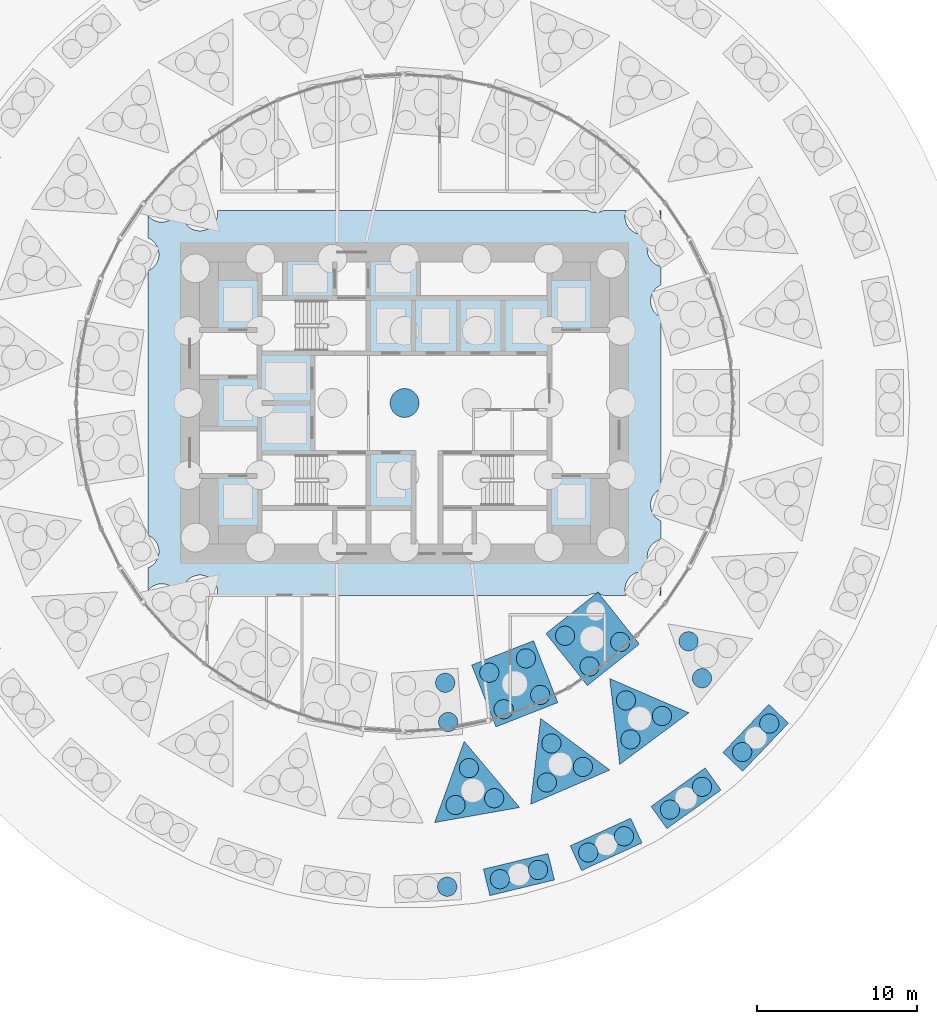
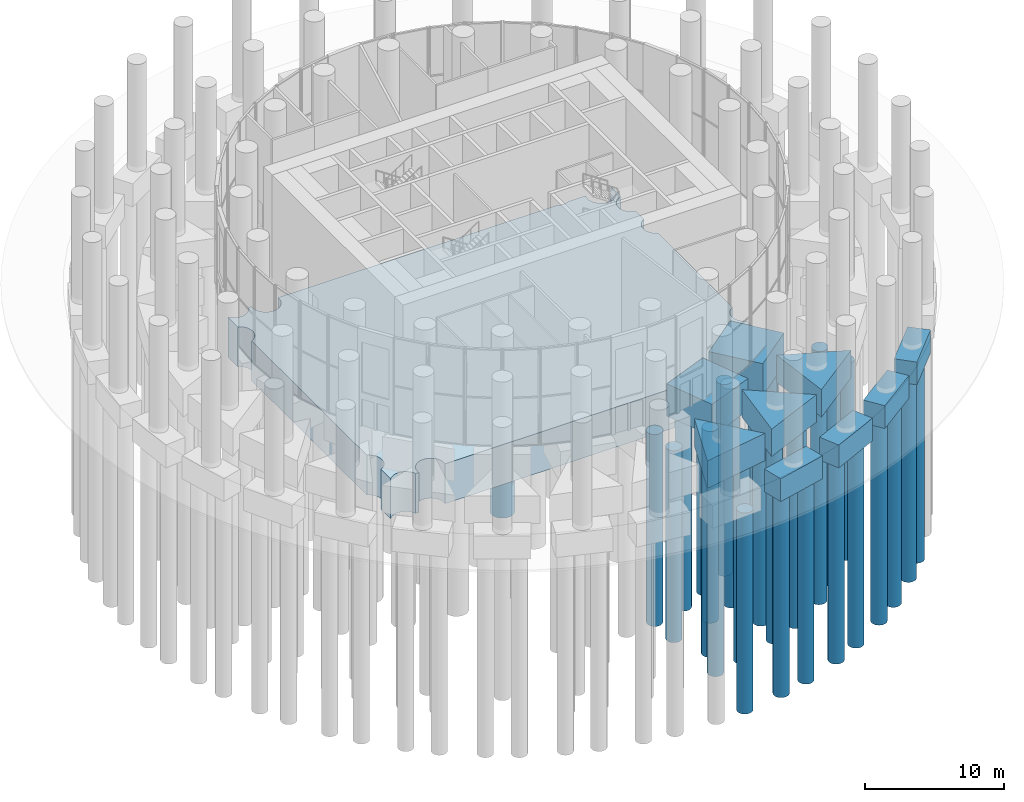
# One storey, part 2 of 20: 30 piles, 10 footings.
"""IFC4 building model written with IfcOpenShell, lengths in metres."""

from ifc_helpers import new_model, si_unit, direction, frame, origin, origin_2d, place, context, subcontext, project, spatial, polyline, circle, outline, extrude, material, material_profile, profile_set, type_object, element, save


model = new_model("IFC4")

# Units and contexts
model_context = context("Model", 3, precision=1e-05, world=origin(), true_north=direction((0.0, 1.0)))
body_context = subcontext(model_context, "Body", "Model", "MODEL_VIEW")
ifc_project = project(units=[si_unit("LENGTHUNIT", "METRE"), si_unit("AREAUNIT", "SQUARE_METRE"), si_unit("VOLUMEUNIT", "CUBIC_METRE"), si_unit("PLANEANGLEUNIT", "RADIAN"), si_unit("MASSUNIT", "GRAM", prefix="KILO")], contexts=[model_context])

# Site, building, storey
site_placement = place(None, origin())
site = spatial("IfcSite", under=ifc_project, at=site_placement, CompositionType="ELEMENT")
building_placement = place(site_placement, origin())
building = spatial("IfcBuilding", under=site, at=building_placement, Name="Tracery Tower", CompositionType="ELEMENT")
storey_placement = place(building_placement, origin())
storey = spatial("IfcBuildingStorey", under=building, at=storey_placement, Name="L00", CompositionType="ELEMENT", Elevation=0.0)

# Pile
ifc_material_1 = material(Name="Concrete C50/60", Category="concrete")
ifc_material_profile_1 = material_profile(ifc_material_1, circle(Radius=0.89990234375, at=origin_2d()), Name="RC D1800")
ifc_profile_set_1 = profile_set([ifc_material_profile_1], Name="Concrete C50/60")
pile_type_1 = type_object("IfcPileType", Name="Core bored pile D1800", PredefinedType="BORED", material=ifc_profile_set_1)
pile_placement = place(storey_placement, frame((0.0, 0.0, -8.0), z_axis=(0.0, 0.0, -1.0), x_axis=(1.0, 0.0, 0.0)))
element("IfcPile", 1, at=pile_placement, inside=storey, type_object=pile_type_1, Name="Core bored pile 18", PredefinedType="BORED", context=body_context, shape_type="SweptSolid", body=[
    extrude(circle(Radius=0.89990234375, at=origin_2d()), origin(), (0.0, 0.0, 1.0), 12.0),
])

# Footing
ifc_material_2 = material(Name="Concrete C60/75", Category="concrete")
footing_type_1 = type_object("IfcFootingType", Name="Core pile cap", PredefinedType="PILE_CAP", material=ifc_material_2)
footing_1_placement = place(storey_placement, frame((0.0, 0.0, -8.0)))
element("IfcFooting", 2, at=footing_1_placement, inside=storey, type_object=footing_type_1, Name="Core pile cap", PredefinedType="PILE_CAP", context=body_context, shape_type="SweptSolid", body=[
    extrude(outline(polyline([(-13.8486328125, -12.0), (-13.851318359375, -11.98388671875), (-13.8583984375, -11.912109375), (-13.860595703125, -11.840087890625), (-13.8583984375, -11.768310546875), (-13.851318359375, -11.69677734375), (-13.839599609375, -11.62548828125), (-13.8232421875, -11.555419921875), (-13.802490234375, -11.48681640625), (-13.777099609375, -11.419189453125), (-13.747314453125, -11.353759765625), (-13.71337890625, -11.290283203125), (-13.67529296875, -11.22900390625), (-13.63330078125, -11.170654296875), (-13.587890625, -11.114990234375), (-13.53857421875, -11.0625), (-13.486083984375, -11.01318359375), (-13.430419921875, -10.967529296875), (-13.371826171875, -10.925537109375), (-13.310791015625, -10.8876953125), (-13.247314453125, -10.853759765625), (-13.181640625, -10.823974609375), (-13.1142578125, -10.798583984375), (-13.04541015625, -10.777587890625), (-12.975341796875, -10.761474609375), (-12.904296875, -10.74951171875), (-12.832763671875, -10.74267578125), (-12.7607421875, -10.740234375), (-12.688720703125, -10.74267578125), (-12.6171875, -10.74951171875), (-12.546142578125, -10.761474609375), (-12.47607421875, -10.777587890625), (-12.4072265625, -10.798583984375), (-12.33984375, -10.823974609375), (-12.274169921875, -10.853759765625), (-12.210693359375, -10.8876953125), (-12.149658203125, -10.925537109375), (-12.091064453125, -10.967529296875), (-12.035400390625, -11.01318359375), (-11.98291015625, -11.0625), (-11.93359375, -11.114990234375), (-11.88818359375, -11.170654296875), (-11.84619140625, -11.22900390625), (-11.80810546875, -11.290283203125), (-11.774169921875, -11.353759765625), (-11.744384765625, -11.419189453125), (-11.718994140625, -11.48681640625), (-11.6982421875, -11.555419921875), (-11.681884765625, -11.62548828125), (-11.670166015625, -11.69677734375), (-11.6630859375, -11.768310546875), (-11.66064453125, -11.840087890625), (-11.6630859375, -11.912109375), (-11.670166015625, -11.98388671875), (-11.6728515625, -12.0), (11.4599609375, -12.0), (11.508544921875, -11.97802734375), (11.57568359375, -11.95263671875), (11.644775390625, -11.931884765625), (11.71484375, -11.915283203125), (11.785888671875, -11.90380859375), (11.857421875, -11.896484375), (11.929443359375, -11.894287109375), (12.00146484375, -11.896484375), (12.072998046875, -11.90380859375), (12.14404296875, -11.915283203125), (12.214111328125, -11.931884765625), (12.282958984375, -11.95263671875), (12.350341796875, -11.97802734375), (12.39892578125, -12.0), (13.831787109375, -12.0), (13.81982421875, -11.968505859375), (13.799072265625, -11.89990234375), (13.78271484375, -11.82958984375), (13.77099609375, -11.758544921875), (13.763916015625, -11.68701171875), (13.76171875, -11.614990234375), (13.763916015625, -11.543212890625), (13.77099609375, -11.471435546875), (13.78271484375, -11.400390625), (13.799072265625, -11.330322265625), (13.81982421875, -11.261474609375), (13.84521484375, -11.194091796875), (13.875, -11.12841796875), (13.908935546875, -11.065185546875), (13.947021484375, -11.00390625), (13.989013671875, -10.9453125), (14.034423828125, -10.889892578125), (14.083740234375, -10.837158203125), (14.13623046875, -10.7880859375), (14.19189453125, -10.742431640625), (14.25048828125, -10.700439453125), (14.3115234375, -10.662353515625), (14.375, -10.62841796875), (14.440673828125, -10.598876953125), (14.508056640625, -10.573486328125), (14.576904296875, -10.552490234375), (14.64697265625, -10.5361328125), (14.718017578125, -10.5244140625), (14.78955078125, -10.517333984375), (14.861572265625, -10.51513671875), (14.93359375, -10.517333984375), (15.005126953125, -10.5244140625), (15.076171875, -10.5361328125), (15.146240234375, -10.552490234375), (15.215087890625, -10.573486328125), (15.282470703125, -10.598876953125), (15.34814453125, -10.62841796875), (15.41162109375, -10.662353515625), (15.47265625, -10.700439453125), (15.53125, -10.742431640625), (15.5869140625, -10.7880859375), (15.639404296875, -10.837158203125), (15.688720703125, -10.889892578125), (15.734375, -10.9453125), (15.776123046875, -11.00390625), (15.814208984375, -11.065185546875), (15.84814453125, -11.12841796875), (15.877685546875, -11.194091796875), (15.9033203125, -11.261474609375), (15.924072265625, -11.330322265625), (15.9404296875, -11.400390625), (15.9521484375, -11.471435546875), (15.959228515625, -11.543212890625), (15.961669921875, -11.614990234375), (15.959228515625, -11.68701171875), (15.9521484375, -11.758544921875), (15.9404296875, -11.82958984375), (15.924072265625, -11.89990234375), (15.9033203125, -11.968505859375), (15.891357421875, -12.0), (16.0, -12.0), (16.0, -10.663330078125), (15.95703125, -10.6533203125), (15.88818359375, -10.63232421875), (15.82080078125, -10.60693359375), (15.755126953125, -10.577392578125), (15.691650390625, -10.54345703125), (15.630615234375, -10.50537109375), (15.572021484375, -10.46337890625), (15.516357421875, -10.417724609375), (15.4638671875, -10.36865234375), (15.414794921875, -10.316162109375), (15.368896484375, -10.260498046875), (15.3271484375, -10.201904296875), (15.2890625, -10.140869140625), (15.255126953125, -10.077392578125), (15.225341796875, -10.01171875), (15.2001953125, -9.9443359375), (15.17919921875, -9.87548828125), (15.162841796875, -9.805419921875), (15.151123046875, -9.734375), (15.14404296875, -9.66259765625), (15.1416015625, -9.5908203125), (15.14404296875, -9.518798828125), (15.151123046875, -9.447265625), (15.162841796875, -9.376220703125), (15.17919921875, -9.30615234375), (15.2001953125, -9.2373046875), (15.225341796875, -9.169921875), (15.255126953125, -9.104248046875), (15.2890625, -9.040771484375), (15.3271484375, -8.9794921875), (15.368896484375, -8.921142578125), (15.414794921875, -8.865478515625), (15.4638671875, -8.81298828125), (15.516357421875, -8.763916015625), (15.572021484375, -8.718017578125), (15.630615234375, -8.67626953125), (15.691650390625, -8.63818359375), (15.755126953125, -8.604248046875), (15.82080078125, -8.574462890625), (15.88818359375, -8.54931640625), (15.95703125, -8.5283203125), (16.0, -8.518310546875), (16.0, -7.358642578125), (15.9677734375, -7.343994140625), (15.904296875, -7.31005859375), (15.84326171875, -7.272216796875), (15.78466796875, -7.22998046875), (15.72900390625, -7.1845703125), (15.676513671875, -7.13525390625), (15.627197265625, -7.082763671875), (15.58154296875, -7.027099609375), (15.539794921875, -6.968505859375), (15.501708984375, -6.907470703125), (15.4677734375, -6.843994140625), (15.43798828125, -6.7783203125), (15.41259765625, -6.7109375), (15.391845703125, -6.64208984375), (15.37548828125, -6.572021484375), (15.36376953125, -6.5009765625), (15.356689453125, -6.429443359375), (15.354248046875, -6.357421875), (15.356689453125, -6.285400390625), (15.36376953125, -6.2138671875), (15.37548828125, -6.142822265625), (15.391845703125, -6.07275390625), (15.41259765625, -6.00390625), (15.43798828125, -5.9365234375), (15.4677734375, -5.870849609375), (15.501708984375, -5.807373046875), (15.539794921875, -5.746337890625), (15.58154296875, -5.687744140625), (15.627197265625, -5.632080078125), (15.676513671875, -5.57958984375), (15.72900390625, -5.530517578125), (15.78466796875, -5.48486328125), (15.84326171875, -5.44287109375), (15.904296875, -5.40478515625), (15.9677734375, -5.370849609375), (16.0, -5.356201171875), (16.0, 5.356201171875), (15.9677734375, 5.370849609375), (15.904296875, 5.40478515625), (15.84326171875, 5.44287109375), (15.78466796875, 5.484619140625), (15.72900390625, 5.530517578125), (15.676513671875, 5.57958984375), (15.627197265625, 5.632080078125), (15.58154296875, 5.687744140625), (15.539794921875, 5.746337890625), (15.501708984375, 5.807373046875), (15.4677734375, 5.870849609375), (15.43798828125, 5.9365234375), (15.41259765625, 6.00390625), (15.391845703125, 6.07275390625), (15.37548828125, 6.142822265625), (15.36376953125, 6.2138671875), (15.356689453125, 6.285400390625), (15.354248046875, 6.357421875), (15.356689453125, 6.429443359375), (15.36376953125, 6.5009765625), (15.37548828125, 6.572021484375), (15.391845703125, 6.64208984375), (15.41259765625, 6.7109375), (15.43798828125, 6.7783203125), (15.4677734375, 6.843994140625), (15.501708984375, 6.907470703125), (15.539794921875, 6.968505859375), (15.58154296875, 7.027099609375), (15.627197265625, 7.082763671875), (15.676513671875, 7.13525390625), (15.72900390625, 7.1845703125), (15.78466796875, 7.22998046875), (15.84326171875, 7.272216796875), (15.904296875, 7.31005859375), (15.9677734375, 7.343994140625), (16.0, 7.358642578125), (16.0, 8.518310546875), (15.95703125, 8.5283203125), (15.88818359375, 8.54931640625), (15.82080078125, 8.574462890625), (15.755126953125, 8.604248046875), (15.691650390625, 8.63818359375), (15.630615234375, 8.67626953125), (15.572021484375, 8.718017578125), (15.516357421875, 8.763916015625), (15.4638671875, 8.81298828125), (15.414794921875, 8.865478515625), (15.368896484375, 8.921142578125), (15.3271484375, 8.979736328125), (15.2890625, 9.040771484375), (15.255126953125, 9.104248046875), (15.225341796875, 9.169921875), (15.2001953125, 9.2373046875), (15.17919921875, 9.30615234375), (15.162841796875, 9.376220703125), (15.151123046875, 9.447265625), (15.14404296875, 9.518798828125), (15.1416015625, 9.5908203125), (15.14404296875, 9.66259765625), (15.151123046875, 9.734375), (15.162841796875, 9.805419921875), (15.17919921875, 9.87548828125), (15.2001953125, 9.9443359375), (15.225341796875, 10.01171875), (15.255126953125, 10.077392578125), (15.2890625, 10.140869140625), (15.3271484375, 10.201904296875), (15.368896484375, 10.260498046875), (15.414794921875, 10.316162109375), (15.4638671875, 10.36865234375), (15.516357421875, 10.417724609375), (15.572021484375, 10.46337890625), (15.630615234375, 10.50537109375), (15.691650390625, 10.54345703125), (15.755126953125, 10.577392578125), (15.82080078125, 10.607177734375), (15.88818359375, 10.63232421875), (15.95703125, 10.6533203125), (16.0, 10.663330078125), (16.0, 12.0), (15.891357421875, 12.0), (15.9033203125, 11.96875), (15.924072265625, 11.89990234375), (15.9404296875, 11.82958984375), (15.9521484375, 11.7587890625), (15.959228515625, 11.68701171875), (15.961669921875, 11.614990234375), (15.959228515625, 11.543212890625), (15.9521484375, 11.471435546875), (15.9404296875, 11.400390625), (15.924072265625, 11.330322265625), (15.9033203125, 11.261474609375), (15.877685546875, 11.194091796875), (15.84814453125, 11.128662109375), (15.814208984375, 11.065185546875), (15.776123046875, 11.00390625), (15.734130859375, 10.9453125), (15.688720703125, 10.889892578125), (15.639404296875, 10.83740234375), (15.5869140625, 10.7880859375), (15.53125, 10.742431640625), (15.47265625, 10.700439453125), (15.41162109375, 10.662353515625), (15.34814453125, 10.62841796875), (15.282470703125, 10.598876953125), (15.215087890625, 10.573486328125), (15.146240234375, 10.552490234375), (15.076171875, 10.5361328125), (15.005126953125, 10.5244140625), (14.93359375, 10.517333984375), (14.861572265625, 10.51513671875), (14.78955078125, 10.517333984375), (14.718017578125, 10.5244140625), (14.64697265625, 10.5361328125), (14.576904296875, 10.552490234375), (14.508056640625, 10.573486328125), (14.440673828125, 10.598876953125), (14.375, 10.62841796875), (14.3115234375, 10.662353515625), (14.25048828125, 10.700439453125), (14.19189453125, 10.742431640625), (14.13623046875, 10.7880859375), (14.083740234375, 10.83740234375), (14.034423828125, 10.889892578125), (13.989013671875, 10.9453125), (13.947021484375, 11.00390625), (13.908935546875, 11.065185546875), (13.875, 11.128662109375), (13.84521484375, 11.194091796875), (13.81982421875, 11.261474609375), (13.799072265625, 11.330322265625), (13.78271484375, 11.400390625), (13.77099609375, 11.471435546875), (13.763916015625, 11.543212890625), (13.76171875, 11.614990234375), (13.763916015625, 11.68701171875), (13.77099609375, 11.7587890625), (13.78271484375, 11.82958984375), (13.799072265625, 11.89990234375), (13.81982421875, 11.96875), (13.831787109375, 12.0), (12.39892578125, 12.0), (12.350341796875, 11.97802734375), (12.282958984375, 11.95263671875), (12.214111328125, 11.931884765625), (12.14404296875, 11.915283203125), (12.072998046875, 11.90380859375), (12.00146484375, 11.896484375), (11.929443359375, 11.894287109375), (11.857421875, 11.896484375), (11.785888671875, 11.90380859375), (11.71484375, 11.915283203125), (11.644775390625, 11.931884765625), (11.57568359375, 11.95263671875), (11.508544921875, 11.97802734375), (11.4599609375, 12.0), (-11.6728515625, 12.0), (-11.670166015625, 11.98388671875), (-11.6630859375, 11.912109375), (-11.66064453125, 11.840087890625), (-11.6630859375, 11.768310546875), (-11.670166015625, 11.69677734375), (-11.681884765625, 11.62548828125), (-11.6982421875, 11.555419921875), (-11.718994140625, 11.48681640625), (-11.744384765625, 11.419189453125), (-11.774169921875, 11.353759765625), (-11.80810546875, 11.290283203125), (-11.84619140625, 11.22900390625), (-11.887939453125, 11.170654296875), (-11.93359375, 11.114990234375), (-11.98291015625, 11.0625), (-12.035400390625, 11.01318359375), (-12.091064453125, 10.967529296875), (-12.149658203125, 10.925537109375), (-12.210693359375, 10.8876953125), (-12.274169921875, 10.853759765625), (-12.33984375, 10.823974609375), (-12.4072265625, 10.798583984375), (-12.47607421875, 10.777587890625), (-12.546142578125, 10.761474609375), (-12.6171875, 10.749755859375), (-12.688720703125, 10.74267578125), (-12.7607421875, 10.740234375), (-12.832763671875, 10.74267578125), (-12.904296875, 10.749755859375), (-12.975341796875, 10.761474609375), (-13.04541015625, 10.777587890625), (-13.1142578125, 10.798583984375), (-13.181640625, 10.823974609375), (-13.247314453125, 10.853759765625), (-13.310791015625, 10.8876953125), (-13.371826171875, 10.925537109375), (-13.430419921875, 10.967529296875), (-13.486083984375, 11.01318359375), (-13.53857421875, 11.0625), (-13.587890625, 11.114990234375), (-13.63330078125, 11.170654296875), (-13.67529296875, 11.22900390625), (-13.71337890625, 11.290283203125), (-13.747314453125, 11.353759765625), (-13.777099609375, 11.419189453125), (-13.802490234375, 11.48681640625), (-13.8232421875, 11.555419921875), (-13.839599609375, 11.62548828125), (-13.851318359375, 11.69677734375), (-13.8583984375, 11.768310546875), (-13.860595703125, 11.840087890625), (-13.8583984375, 11.912109375), (-13.851318359375, 11.98388671875), (-13.8486328125, 12.0), (-14.11962890625, 12.0), (-14.133056640625, 11.964599609375), (-14.16259765625, 11.89892578125), (-14.19677734375, 11.83544921875), (-14.234619140625, 11.7744140625), (-14.276611328125, 11.7158203125), (-14.322265625, 11.66015625), (-14.37158203125, 11.607666015625), (-14.424072265625, 11.558349609375), (-14.479736328125, 11.5126953125), (-14.5380859375, 11.470703125), (-14.599365234375, 11.432861328125), (-14.662841796875, 11.39892578125), (-14.728515625, 11.369140625), (-14.795654296875, 11.34375), (-14.864501953125, 11.322998046875), (-14.934814453125, 11.306640625), (-15.005615234375, 11.294921875), (-15.077392578125, 11.287841796875), (-15.1494140625, 11.285400390625), (-15.22119140625, 11.287841796875), (-15.29296875, 11.294921875), (-15.364013671875, 11.306640625), (-15.43408203125, 11.322998046875), (-15.5029296875, 11.34375), (-15.5703125, 11.369140625), (-15.6357421875, 11.39892578125), (-15.69921875, 11.432861328125), (-15.760498046875, 11.470703125), (-15.81884765625, 11.5126953125), (-15.87451171875, 11.558349609375), (-15.927001953125, 11.607666015625), (-15.976318359375, 11.66015625), (-16.0, 11.68896484375), (-16.0, 10.283935546875), (-15.940185546875, 10.2568359375), (-15.876708984375, 10.222900390625), (-15.815673828125, 10.184814453125), (-15.757080078125, 10.14306640625), (-15.701416015625, 10.097412109375), (-15.64892578125, 10.048095703125), (-15.599609375, 9.99560546875), (-15.553955078125, 9.93994140625), (-15.51220703125, 9.881591796875), (-15.47412109375, 9.8203125), (-15.440185546875, 9.7568359375), (-15.410400390625, 9.69140625), (-15.385009765625, 9.623779296875), (-15.3642578125, 9.554931640625), (-15.347900390625, 9.48486328125), (-15.336181640625, 9.413818359375), (-15.3291015625, 9.34228515625), (-15.32666015625, 9.270263671875), (-15.3291015625, 9.198486328125), (-15.336181640625, 9.126708984375), (-15.347900390625, 9.0556640625), (-15.3642578125, 8.985595703125), (-15.385009765625, 8.916748046875), (-15.410400390625, 8.849365234375), (-15.440185546875, 8.78369140625), (-15.47412109375, 8.72021484375), (-15.51220703125, 8.6591796875), (-15.553955078125, 8.6005859375), (-15.599609375, 8.544921875), (-15.64892578125, 8.492431640625), (-15.701416015625, 8.443359375), (-15.757080078125, 8.397705078125), (-15.815673828125, 8.355712890625), (-15.876708984375, 8.317626953125), (-15.940185546875, 8.28369140625), (-16.0, 8.256591796875), (-16.0, -8.256591796875), (-15.940185546875, -8.28369140625), (-15.876708984375, -8.317626953125), (-15.815673828125, -8.355712890625), (-15.757080078125, -8.397705078125), (-15.701416015625, -8.443359375), (-15.64892578125, -8.492431640625), (-15.599609375, -8.545166015625), (-15.553955078125, -8.6005859375), (-15.51220703125, -8.6591796875), (-15.47412109375, -8.72021484375), (-15.440185546875, -8.78369140625), (-15.410400390625, -8.849365234375), (-15.385009765625, -8.916748046875), (-15.3642578125, -8.985595703125), (-15.347900390625, -9.0556640625), (-15.336181640625, -9.126708984375), (-15.3291015625, -9.198486328125), (-15.32666015625, -9.270263671875), (-15.3291015625, -9.34228515625), (-15.336181640625, -9.413818359375), (-15.347900390625, -9.48486328125), (-15.3642578125, -9.554931640625), (-15.385009765625, -9.623779296875), (-15.410400390625, -9.69140625), (-15.440185546875, -9.7568359375), (-15.47412109375, -9.8203125), (-15.51220703125, -9.881591796875), (-15.553955078125, -9.93994140625), (-15.599609375, -9.99560546875), (-15.64892578125, -10.048095703125), (-15.701416015625, -10.097412109375), (-15.757080078125, -10.14306640625), (-15.815673828125, -10.18505859375), (-15.876708984375, -10.222900390625), (-15.940185546875, -10.2568359375), (-16.0, -10.283935546875), (-16.0, -11.68896484375), (-15.976318359375, -11.66015625), (-15.927001953125, -11.607666015625), (-15.87451171875, -11.558349609375), (-15.819091796875, -11.5126953125), (-15.760498046875, -11.470703125), (-15.69921875, -11.432861328125), (-15.6357421875, -11.39892578125), (-15.5703125, -11.369140625), (-15.5029296875, -11.34375), (-15.43408203125, -11.322998046875), (-15.364013671875, -11.306640625), (-15.29296875, -11.294921875), (-15.22119140625, -11.287841796875), (-15.1494140625, -11.285400390625), (-15.077392578125, -11.287841796875), (-15.005615234375, -11.294921875), (-14.934814453125, -11.306640625), (-14.864501953125, -11.322998046875), (-14.795654296875, -11.34375), (-14.728515625, -11.369140625), (-14.662841796875, -11.39892578125), (-14.599365234375, -11.432861328125), (-14.5380859375, -11.470703125), (-14.479736328125, -11.5126953125), (-14.424072265625, -11.558349609375), (-14.37158203125, -11.607666015625), (-14.322265625, -11.66015625), (-14.276611328125, -11.7158203125), (-14.234619140625, -11.7744140625), (-14.19677734375, -11.83544921875), (-14.162841796875, -11.89892578125), (-14.133056640625, -11.964599609375), (-14.11962890625, -12.0), (-13.8486328125, -12.0)])), origin(), (0.0, 0.0, 1.0), 3.5),
])

# Piles
ifc_material_3 = material(Name="Concrete C50/60", Category="concrete")
ifc_material_profile_2 = material_profile(ifc_material_3, circle(Radius=0.60009765625, at=origin_2d()), Name="RC D1200")
ifc_profile_set_2 = profile_set([ifc_material_profile_2], Name="Concrete C50/60")
pile_type_2 = type_object("IfcPileType", Name="Ring 0 bored pile D1200", PredefinedType="BORED", material=ifc_profile_set_2)
for number, where, z_axis, x_axis, name in (
    (3, (2.6640625, -30.181884765625, -2.39990234375), (0.0, 0.0, -1.0), (1.0, 0.0, 0.0), "Bored pile 2 under ring 0 column 25"),
    (4, (5.947021484375, -29.7099609375, -2.39990234375), (0.0, 0.0, -1.0), (1.0, 0.0, 0.0), "Bored pile 1 under ring 0 column 26"),
    (5, (8.327880859375, -29.13232421875, -2.39990234375), (0.0, 0.0, -1.0), (1.0, 0.0, 0.0), "Bored pile 2 under ring 0 column 26"),
    (6, (11.462158203125, -28.047607421875, -2.39990234375), (0.0, 0.0, -1.0), (1.0, 0.0, 0.0), "Bored pile 1 under ring 0 column 27"),
    (7, (13.69091796875, -27.02978515625, -2.39990234375), (0.0, 0.0, -1.0), (1.0, 0.0, 0.0), "Bored pile 2 under ring 0 column 27"),
    (8, (16.56298828125, -25.37158203125, -2.39990234375), (0.0, 0.0, -1.0), (1.0, 0.0, 0.0), "Bored pile 1 under ring 0 column 28"),
    (9, (18.558837890625, -23.950439453125, -2.39990234375), (0.0, 0.0, -1.0), (1.0, 0.0, 0.0), "Bored pile 2 under ring 0 column 28"),
    (10, (21.0654296875, -21.7783203125, -2.39990234375), (0.0, 0.0, -1.0), (1.0, 0.0, 0.0), "Bored pile 1 under ring 0 column 29"),
    (11, (22.756103515625, -20.00537109375, -2.39990234375), (0.0, 0.0, -1.0), (1.0, 0.0, 0.0), "Bored pile 2 under ring 0 column 29"),
):
    element("IfcPile", number, at=place(storey_placement, frame(where, z_axis=z_axis, x_axis=x_axis)), inside=storey, type_object=pile_type_2, Name=name, PredefinedType="BORED", context=body_context, shape_type="SweptSolid", body=[
        extrude(circle(Radius=0.60009765625, at=origin_2d()), origin(), (0.0, 0.0, 1.0), 17.60009765625),
    ])

# Footings
ifc_material_4 = material(Name="Concrete C50/60", Category="concrete")
footing_type_2 = type_object("IfcFootingType", Name="Ring 0 pile cap 2 piles", PredefinedType="PILE_CAP", material=ifc_material_4)
footing_2_placement = place(storey_placement, frame((0.0, 0.0, -2.39990234375)))
element("IfcFooting", 12, at=footing_2_placement, inside=storey, type_object=footing_type_2, Name="Pile cap under ring 0 column 26", PredefinedType="PILE_CAP", context=body_context, shape_type="SweptSolid", body=[
    extrude(outline(polyline([(4.920654296875, -29.08447265625), (5.3212890625, -30.736328125), (6.1474609375, -30.5361328125), (9.3544921875, -29.758056640625), (8.95361328125, -28.10595703125), (8.127685546875, -28.306396484375), (4.920654296875, -29.08447265625)])), origin(), (0.0, 0.0, 1.0), 2.0),
])
footing_3_placement = place(storey_placement, frame((0.0, 0.0, -2.39990234375)))
element("IfcFooting", 13, at=footing_3_placement, inside=storey, type_object=footing_type_2, Name="Pile cap under ring 0 column 27", PredefinedType="PILE_CAP", context=body_context, shape_type="SweptSolid", body=[
    extrude(outline(polyline([(10.3359375, -27.62744140625), (11.0419921875, -29.173828125), (11.815185546875, -28.82080078125), (14.817138671875, -27.449951171875), (14.11083984375, -25.903564453125), (13.337646484375, -26.256591796875), (10.3359375, -27.62744140625)])), origin(), (0.0, 0.0, 1.0), 2.0),
])
footing_4_placement = place(storey_placement, frame((0.0, 0.0, -2.39990234375)))
element("IfcFooting", 14, at=footing_4_placement, inside=storey, type_object=footing_type_2, Name="Pile cap under ring 0 column 28", PredefinedType="PILE_CAP", context=body_context, shape_type="SweptSolid", body=[
    extrude(outline(polyline([(15.377685546875, -25.172119140625), (16.36376953125, -26.556884765625), (17.05615234375, -26.06396484375), (19.744384765625, -24.149658203125), (18.75830078125, -22.764892578125), (18.06591796875, -23.258056640625), (15.377685546875, -25.172119140625)])), origin(), (0.0, 0.0, 1.0), 2.0),
])
footing_5_placement = place(storey_placement, frame((0.0, 0.0, -2.39990234375)))
element("IfcFooting", 15, at=footing_5_placement, inside=storey, type_object=footing_type_2, Name="Pile cap under ring 0 column 29", PredefinedType="PILE_CAP", context=body_context, shape_type="SweptSolid", body=[
    extrude(outline(polyline([(19.86376953125, -21.806884765625), (21.093994140625, -22.980224609375), (21.6806640625, -22.364990234375), (23.957763671875, -19.976806640625), (22.7275390625, -18.8037109375), (22.140869140625, -19.418701171875), (19.86376953125, -21.806884765625)])), origin(), (0.0, 0.0, 1.0), 2.0),
])

# Piles
ifc_material_5 = material(Name="Concrete C50/60", Category="concrete")
ifc_material_profile_3 = material_profile(ifc_material_5, circle(Radius=0.60009765625, at=origin_2d()), Name="RC D1200")
ifc_profile_set_3 = profile_set([ifc_material_profile_3], Name="Concrete C50/60")
pile_type_3 = type_object("IfcPileType", Name="Ring 1 bored pile D1200", PredefinedType="BORED", material=ifc_profile_set_3)
for number, where, z_axis, x_axis, name in (
    (16, (3.17919921875, -25.083984375, -2.800048828125), (0.0, 0.0, -1.0), (1.0, 0.0, 0.0), "Bored pile 1 under ring 1 column 21"),
    (17, (5.591796875, -24.65869140625, -2.800048828125), (0.0, 0.0, -1.0), (1.0, 0.0, 0.0), "Bored pile 2 under ring 1 column 21"),
    (18, (4.01708984375, -22.78173828125, -2.800048828125), (0.0, 0.0, -1.0), (1.0, 0.0, 0.0), "Bored pile 3 under ring 1 column 21"),
    (19, (8.878173828125, -23.6748046875, -2.800048828125), (0.0, 0.0, -1.0), (1.0, 0.0, 0.0), "Bored pile 1 under ring 1 column 22"),
    (20, (11.127685546875, -22.704345703125, -2.800048828125), (0.0, 0.0, -1.0), (1.0, 0.0, 0.0), "Bored pile 2 under ring 1 column 22"),
    (21, (9.16259765625, -21.2412109375, -2.800048828125), (0.0, 0.0, -1.0), (1.0, 0.0, 0.0), "Bored pile 3 under ring 1 column 22"),
    (22, (14.0986328125, -20.989013671875, -2.800048828125), (0.0, 0.0, -1.0), (1.0, 0.0, 0.0), "Bored pile 1 under ring 1 column 23"),
    (23, (16.063720703125, -19.526123046875, -2.800048828125), (0.0, 0.0, -1.0), (1.0, 0.0, 0.0), "Bored pile 2 under ring 1 column 23"),
    (24, (13.814208984375, -18.5556640625, -2.800048828125), (0.0, 0.0, -1.0), (1.0, 0.0, 0.0), "Bored pile 3 under ring 1 column 23"),
    (25, (18.55908203125, -17.172119140625, -2.800048828125), (0.0, 0.0, -1.0), (1.0, 0.0, 0.0), "Bored pile 1 under ring 1 column 24"),
    (26, (17.72119140625, -14.86962890625, -2.800048828125), (0.0, 0.0, -1.0), (1.0, 0.0, 0.0), "Bored pile 3 under ring 1 column 24"),
):
    element("IfcPile", number, at=place(storey_placement, frame(where, z_axis=z_axis, x_axis=x_axis)), inside=storey, type_object=pile_type_3, Name=name, PredefinedType="BORED", context=body_context, shape_type="SweptSolid", body=[
        extrude(circle(Radius=0.60009765625, at=origin_2d()), origin(), (0.0, 0.0, 1.0), 17.199951171875),
    ])

# Footings
ifc_material_6 = material(Name="Concrete C50/60", Category="concrete")
footing_type_3 = type_object("IfcFootingType", Name="Ring 1 pile cap 3 piles apex inward", PredefinedType="PILE_CAP", material=ifc_material_6)
footing_6_placement = place(storey_placement, frame((0.0, 0.0, -2.800048828125)))
element("IfcFooting", 27, at=footing_6_placement, inside=storey, type_object=footing_type_3, Name="Pile cap under ring 1 column 21", PredefinedType="PILE_CAP", context=body_context, shape_type="SweptSolid", body=[
    extrude(outline(polyline([(7.189208984375, -25.239990234375), (3.7216796875, -21.107666015625), (1.876708984375, -26.1767578125), (7.189208984375, -25.239990234375)])), origin(), (0.0, 0.0, 1.0), 2.400146484375),
])
footing_7_placement = place(storey_placement, frame((0.0, 0.0, -2.800048828125)))
element("IfcFooting", 28, at=footing_7_placement, inside=storey, type_object=footing_type_3, Name="Pile cap under ring 1 column 22", PredefinedType="PILE_CAP", context=body_context, shape_type="SweptSolid", body=[
    extrude(outline(polyline([(12.81640625, -22.901611328125), (8.4892578125, -19.680419921875), (7.863037109375, -25.038330078125), (12.81640625, -22.901611328125)])), origin(), (0.0, 0.0, 1.0), 2.400146484375),
])
footing_8_placement = place(storey_placement, frame((0.0, 0.0, -2.800048828125)))
element("IfcFooting", 29, at=footing_8_placement, inside=storey, type_object=footing_type_3, Name="Pile cap under ring 1 column 23", PredefinedType="PILE_CAP", context=body_context, shape_type="SweptSolid", body=[
    extrude(outline(polyline([(17.752197265625, -19.32861328125), (12.799072265625, -17.192138671875), (13.42529296875, -22.550048828125), (17.752197265625, -19.32861328125)])), origin(), (0.0, 0.0, 1.0), 2.400146484375),
])

# Piles
ifc_material_7 = material(Name="Concrete C50/60", Category="concrete")
ifc_material_profile_4 = material_profile(ifc_material_7, circle(Radius=0.60009765625, at=origin_2d()), Name="RC D1200")
ifc_profile_set_4 = profile_set([ifc_material_profile_4], Name="Concrete C50/60")
pile_type_4 = type_object("IfcPileType", Name="Ring 2 bored pile D1200", PredefinedType="BORED", material=ifc_profile_set_4)
for number, where, z_axis, x_axis, name in (
    (30, (2.53662109375, -17.456298828125, -3.199951171875), (0.0, 0.0, -1.0), (1.0, 0.0, 0.0), "Bored pile 2 under ring 2 column 16"),
    (31, (2.7197265625, -19.899658203125, -3.199951171875), (0.0, 0.0, -1.0), (1.0, 0.0, 0.0), "Bored pile 4 under ring 2 column 16"),
    (32, (5.288818359375, -16.828369140625, -3.199951171875), (0.0, 0.0, -1.0), (1.0, 0.0, 0.0), "Bored pile 1 under ring 2 column 17"),
    (33, (7.5693359375, -15.93310546875, -3.199951171875), (0.0, 0.0, -1.0), (1.0, 0.0, 0.0), "Bored pile 2 under ring 2 column 17"),
    (34, (6.18359375, -19.10888671875, -3.199951171875), (0.0, 0.0, -1.0), (1.0, 0.0, 0.0), "Bored pile 3 under ring 2 column 17"),
    (35, (8.46435546875, -18.2138671875, -3.199951171875), (0.0, 0.0, -1.0), (1.0, 0.0, 0.0), "Bored pile 4 under ring 2 column 17"),
    (36, (10.013916015625, -14.521728515625, -3.199951171875), (0.0, 0.0, -1.0), (1.0, 0.0, 0.0), "Bored pile 1 under ring 2 column 18"),
    (37, (11.54150390625, -16.437255859375, -3.199951171875), (0.0, 0.0, -1.0), (1.0, 0.0, 0.0), "Bored pile 3 under ring 2 column 18"),
    (38, (13.45703125, -14.909912109375, -3.199951171875), (0.0, 0.0, -1.0), (1.0, 0.0, 0.0), "Bored pile 4 under ring 2 column 18"),
):
    element("IfcPile", number, at=place(storey_placement, frame(where, z_axis=z_axis, x_axis=x_axis)), inside=storey, type_object=pile_type_4, Name=name, PredefinedType="BORED", context=body_context, shape_type="SweptSolid", body=[
        extrude(circle(Radius=0.60009765625, at=origin_2d()), origin(), (0.0, 0.0, 1.0), 16.800048828125),
    ])

# Footings
ifc_material_8 = material(Name="Concrete C50/60", Category="concrete")
footing_type_4 = type_object("IfcFootingType", Name="Ring 2 pile cap 4 piles", PredefinedType="PILE_CAP", material=ifc_material_8)
footing_9_placement = place(storey_placement, frame((0.0, 0.0, -3.199951171875)))
element("IfcFooting", 39, at=footing_9_placement, inside=storey, type_object=footing_type_4, Name="Pile cap under ring 2 column 17", PredefinedType="PILE_CAP", context=body_context, shape_type="SweptSolid", body=[
    extrude(outline(polyline([(5.702880859375, -20.210693359375), (9.566162109375, -18.694580078125), (8.050048828125, -14.831298828125), (4.18701171875, -16.34765625), (5.702880859375, -20.210693359375)])), origin(), (0.0, 0.0, 1.0), 2.800048828125),
])
footing_10_placement = place(storey_placement, frame((0.0, 0.0, -3.199951171875)))
element("IfcFooting", 40, at=footing_10_placement, inside=storey, type_object=footing_type_4, Name="Pile cap under ring 2 column 18", PredefinedType="PILE_CAP", context=body_context, shape_type="SweptSolid", body=[
    extrude(outline(polyline([(11.406982421875, -17.6318359375), (14.651611328125, -15.04443359375), (12.06396484375, -11.7998046875), (8.8193359375, -14.38720703125), (11.406982421875, -17.6318359375)])), origin(), (0.0, 0.0, 1.0), 2.800048828125),
])

save(model, "model.ifc")
